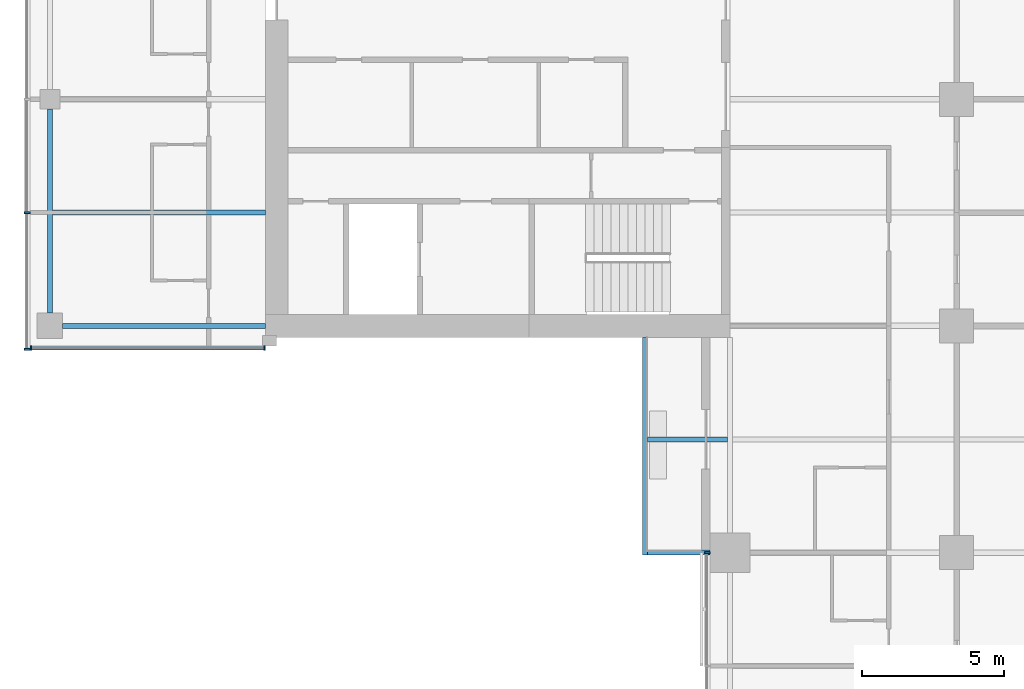
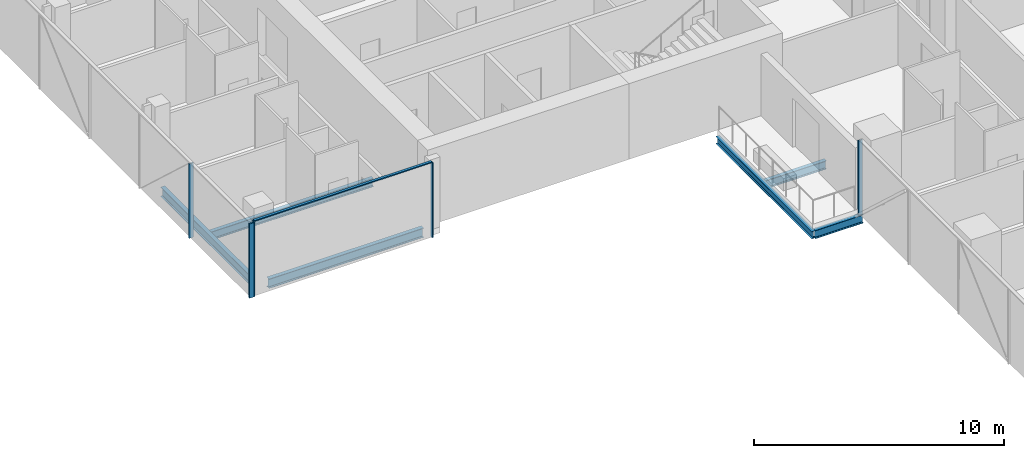
# One storey, part 3 of 27: 6 beams, 6 members, 3 elements without a shape of their own.
"""IFC4 building model written with IfcOpenShell, lengths in metres."""

from ifc_helpers import new_model, si_unit, direction, frame, origin, origin_2d, place, context, subcontext, project, spatial, rectangle, i_section, extrude, material, material_profile, profile_set, type_object, element, aggregate, save


model = new_model("IFC4")

# Units and contexts
model_context = context("Model", 3, precision=1e-05, world=origin(), true_north=direction((0.0, 1.0)))
body_context = subcontext(model_context, "Body", "Model", "MODEL_VIEW")
ifc_project = project(units=[si_unit("LENGTHUNIT", "METRE"), si_unit("AREAUNIT", "SQUARE_METRE"), si_unit("VOLUMEUNIT", "CUBIC_METRE"), si_unit("PLANEANGLEUNIT", "RADIAN"), si_unit("MASSUNIT", "GRAM", prefix="KILO")], contexts=[model_context])

# Site, building, storey
site_placement = place(None, origin())
site = spatial("IfcSite", under=ifc_project, at=site_placement, CompositionType="ELEMENT")
building_placement = place(site_placement, origin())
building = spatial("IfcBuilding", under=site, at=building_placement, Name="Crosswind Convention Tower", CompositionType="ELEMENT")
storey_placement = place(building_placement, frame((0.0, 0.0, 72.0)))
storey = spatial("IfcBuildingStorey", under=building, at=storey_placement, Name="L12", CompositionType="ELEMENT", Elevation=72.0)

# Beams
ifc_material_1 = material(Name="Steel S355", Category="steel")
ifc_material_profile_1 = material_profile(ifc_material_1, i_section(OverallWidth=0.177734375, OverallDepth=0.406494140625, WebThickness=0.0078125, FlangeThickness=0.0126953125, FilletRadius=0.01025390625, at=origin_2d()), Name="UB 406x178x60")
ifc_profile_set_1 = profile_set([ifc_material_profile_1], Name="Steel S355")
beam_type_1 = type_object("IfcBeamType", Name="Balcony cantilever UB 406x178x60", PredefinedType="BEAM", material=ifc_profile_set_1)
beam_1_placement = place(storey_placement, frame((112.90478515625, 84.0, -0.483154296875), z_axis=(-1.0, 0.0, 0.0), x_axis=(0.0, -1.0, 0.0)))
element("IfcBeam", 1, at=beam_1_placement, inside=storey, type_object=beam_type_1, Name="B35 L12 balcony cantilever SW 7", PredefinedType="BEAM", context=body_context, shape_type="SweptSolid", body=[
    extrude(i_section(OverallWidth=0.177734375, OverallDepth=0.406494140625, WebThickness=0.0078125, FlangeThickness=0.0126953125, FilletRadius=0.01025390625, at=origin_2d()), origin(), (0.0, 0.0, 1.0), 2.8193359375),
])
beam_2_placement = place(storey_placement, frame((112.300048828125, 80.0, -0.483154296875), z_axis=(-1.0, 0.0, 0.0), x_axis=(0.0, -1.0, 0.0)))
element("IfcBeam", 2, at=beam_2_placement, inside=storey, type_object=beam_type_1, Name="B35 L12 balcony cantilever SW 8", PredefinedType="BEAM", context=body_context, shape_type="SweptSolid", body=[
    extrude(i_section(OverallWidth=0.177734375, OverallDepth=0.406494140625, WebThickness=0.0078125, FlangeThickness=0.0126953125, FilletRadius=0.01025390625, at=origin_2d()), origin(), (0.0, 0.0, 1.0), 2.214599609375),
])
ifc_material_profile_2 = material_profile(ifc_material_1, i_section(OverallWidth=0.1708984375, OverallDepth=0.35205078125, WebThickness=0.0068359375, FlangeThickness=0.009765625, FilletRadius=0.01025390625, at=origin_2d()), Name="UB 356x171x45")
ifc_profile_set_2 = profile_set([ifc_material_profile_2], Name="Steel S355")
beam_type_2 = type_object("IfcBeamType", Name="Balcony edge beam UB 356x171x45", PredefinedType="BEAM", material=ifc_profile_set_2)
beam_3_placement = place(storey_placement, frame((110.0, 87.60009765625, -0.4560546875), z_axis=(0.0, -1.0, 0.0), x_axis=(1.0, 0.0, 0.0)))
element("IfcBeam", 3, at=beam_3_placement, inside=storey, type_object=beam_type_2, Name="B37 L12 balcony edge beam SW 9", PredefinedType="BEAM", context=body_context, shape_type="SweptSolid", body=[
    extrude(i_section(OverallWidth=0.1708984375, OverallDepth=0.35205078125, WebThickness=0.0068359375, FlangeThickness=0.009765625, FilletRadius=0.01025390625, at=origin_2d()), origin(), (0.0, 0.0, 1.0), 7.68896484375),
])
ifc_material_profile_3 = material_profile(ifc_material_1, i_section(OverallWidth=0.1904296875, OverallDepth=0.457275390625, WebThickness=0.009033203125, FlangeThickness=0.014404296875, FilletRadius=0.01025390625, at=origin_2d()), Name="UB 457x191x75")
ifc_profile_set_3 = profile_set([ifc_material_profile_3], Name="Steel S355")
beam_type_3 = type_object("IfcBeamType", Name="Edge beam UB 457x191x75", PredefinedType="SPANDREL", material=ifc_profile_set_3)
beam_4_placement = place(storey_placement, frame((89.0, 88.449951171875, -0.508544921875), z_axis=(0.0, 1.0, 0.0), x_axis=(-1.0, 0.0, 0.0)))
element("IfcBeam", 4, at=beam_4_placement, inside=storey, type_object=beam_type_3, Name="B17 L12 edge beam 1", PredefinedType="SPANDREL", context=body_context, shape_type="SweptSolid", body=[
    extrude(i_section(OverallWidth=0.1904296875, OverallDepth=0.457275390625, WebThickness=0.009033203125, FlangeThickness=0.014404296875, FilletRadius=0.01025390625, at=origin_2d()), origin(), (0.0, 0.0, 1.0), 7.199951171875),
])
beam_5_placement = place(storey_placement, frame((89.449951171875, 88.0, -0.508544921875), z_axis=(1.0, 0.0, 0.0), x_axis=(0.0, 1.0, 0.0)))
element("IfcBeam", 5, at=beam_5_placement, inside=storey, type_object=beam_type_3, Name="B17 L12 edge beam 4", PredefinedType="SPANDREL", context=body_context, shape_type="SweptSolid", body=[
    extrude(i_section(OverallWidth=0.1904296875, OverallDepth=0.457275390625, WebThickness=0.009033203125, FlangeThickness=0.014404296875, FilletRadius=0.01025390625, at=origin_2d()), origin(), (0.0, 0.0, 1.0), 7.150146484375),
])

# Curtain wall, members
ifc_material_2 = material(Name="Aluminium unitised curtain wall", Category="aluminium")
curtain_wall_type_1 = type_object("IfcCurtainWallType", Name="CORE END SLOT WALL 160", PredefinedType="USERDEFINED", material=ifc_material_2)
curtain_wall_1_placement = place(storey_placement, origin())
curtain_wall_1 = element("IfcCurtainWall", 6, at=curtain_wall_1_placement, inside=storey, type_object=curtain_wall_type_1, Name="CW6 L12 W-S.1-1 slot", ObjectType="UNITISED", PredefinedType="USERDEFINED")
ifc_material_3 = material(Name="Aluminium mullion", Category="aluminium")
ifc_material_profile_4 = material_profile(ifc_material_3, rectangle(XDim=0.159912109375, YDim=0.050048828125, at=origin_2d()), Name="AL 160X50")
ifc_profile_set_4 = profile_set([ifc_material_profile_4], Name="Aluminium mullion")
member_type_1 = type_object("IfcMemberType", Name="MULLION 50X160", PredefinedType="MULLION", material=ifc_profile_set_4)
member_1_placement = place(storey_placement, frame((88.324951171875, 87.219970703125, -0.280029296875), z_axis=(0.0, 0.0, 1.0), x_axis=(0.0, -1.0, 0.0)))
member_1 = element("IfcMember", 7, at=member_1_placement, type_object=member_type_1, Name="CW6 mullion 1", PredefinedType="MULLION", context=body_context, shape_type="SweptSolid", body=[
    extrude(rectangle(XDim=0.159912109375, YDim=0.050048828125, at=origin_2d()), origin(), (0.0, 0.0, 1.0), 3.650146484375),
])
member_2_placement = place(storey_placement, frame((96.574951171875, 87.219970703125, -0.280029296875), z_axis=(0.0, 0.0, 1.0), x_axis=(0.0, -1.0, 0.0)))
member_2 = element("IfcMember", 8, at=member_2_placement, type_object=member_type_1, Name="CW6 mullion 2", PredefinedType="MULLION", context=body_context, shape_type="SweptSolid", body=[
    extrude(rectangle(XDim=0.159912109375, YDim=0.050048828125, at=origin_2d()), origin(), (0.0, 0.0, 1.0), 3.650146484375),
])

curtain_wall_type_2 = type_object("IfcCurtainWallType", Name="HOTEL UNITISED WALL 200", PredefinedType="USERDEFINED", material=ifc_material_2)
curtain_wall_2_placement = place(storey_placement, origin())
curtain_wall_2 = element("IfcCurtainWall", 9, at=curtain_wall_2_placement, inside=storey, type_object=curtain_wall_type_2, Name="CW2 L12 W-TIP 1", ObjectType="UNITISED", PredefinedType="USERDEFINED")
ifc_material_profile_5 = material_profile(ifc_material_3, rectangle(XDim=0.199951171875, YDim=0.06494140625, at=origin_2d()), Name="AL 200X65")
ifc_profile_set_5 = profile_set([ifc_material_profile_5], Name="Aluminium mullion")
member_type_2 = type_object("IfcMemberType", Name="MULLION 65X200", PredefinedType="MULLION", material=ifc_profile_set_5)
member_3_placement = place(storey_placement, frame((88.199951171875, 92.0, -0.280029296875), z_axis=(0.0, 0.0, 1.0), x_axis=(-1.0, 0.0, 0.0)))
member_3 = element("IfcMember", 10, at=member_3_placement, type_object=member_type_2, Name="CW2 mullion 6", PredefinedType="MULLION", context=body_context, shape_type="SweptSolid", body=[
    extrude(rectangle(XDim=0.199951171875, YDim=0.06494140625, at=origin_2d()), origin(), (0.0, 0.0, 1.0), 3.635009765625),
])
member_4_placement = place(storey_placement, frame((88.199951171875, 87.172607421875, -0.280029296875), z_axis=(0.0, 0.0, 1.0), x_axis=(-1.0, 0.0, 0.0)))
member_4 = element("IfcMember", 11, at=member_4_placement, type_object=member_type_2, Name="CW2 mullion 7", PredefinedType="MULLION", context=body_context, shape_type="SweptSolid", body=[
    extrude(rectangle(XDim=0.199951171875, YDim=0.06494140625, at=origin_2d()), origin(), (0.0, 0.0, 1.0), 3.635009765625),
])
aggregate(curtain_wall_2, [member_3, member_4])

# Curtain wall, member
curtain_wall_3_placement = place(storey_placement, origin())
curtain_wall_3 = element("IfcCurtainWall", 12, at=curtain_wall_3_placement, inside=storey, type_object=curtain_wall_type_2, Name="CW2 L12 S-W 1", ObjectType="UNITISED", PredefinedType="USERDEFINED")
member_5_placement = place(storey_placement, frame((112.199951171875, 80.0, -0.280029296875), z_axis=(0.0, 0.0, 1.0), x_axis=(-1.0, 0.0, 0.0)))
member_5 = element("IfcMember", 13, at=member_5_placement, type_object=member_type_2, Name="CW2 mullion 1", PredefinedType="MULLION", context=body_context, shape_type="SweptSolid", body=[
    extrude(rectangle(XDim=0.199951171875, YDim=0.06494140625, at=origin_2d()), origin(), (0.0, 0.0, 1.0), 3.635009765625),
])
aggregate(curtain_wall_3, [member_5])

# Beam
ifc_material_profile_6 = material_profile(ifc_material_1, i_section(OverallWidth=0.177734375, OverallDepth=0.406494140625, WebThickness=0.0078125, FlangeThickness=0.0126953125, FilletRadius=0.01025390625, at=origin_2d()), Name="UB 406x178x60")
ifc_profile_set_6 = profile_set([ifc_material_profile_6], Name="Steel S355")
beam_type_4 = type_object("IfcBeamType", Name="Secondary beam UB 406x178x60", PredefinedType="JOIST", material=ifc_profile_set_6)
beam_6_placement = place(storey_placement, frame((89.09521484375, 92.0, -0.483154296875), z_axis=(1.0, 0.0, 0.0), x_axis=(0.0, 1.0, 0.0)))
element("IfcBeam", 14, at=beam_6_placement, inside=storey, type_object=beam_type_4, Name="B10 L12 secondary beam 1", PredefinedType="JOIST", context=body_context, shape_type="SweptSolid", body=[
    extrude(i_section(OverallWidth=0.177734375, OverallDepth=0.406494140625, WebThickness=0.0078125, FlangeThickness=0.0126953125, FilletRadius=0.01025390625, at=origin_2d()), origin(), (0.0, 0.0, 1.0), 7.5048828125),
])

# Member
ifc_material_4 = material(Name="Aluminium transom", Category="aluminium")
ifc_material_profile_7 = material_profile(ifc_material_4, rectangle(XDim=0.1201171875, YDim=0.050048828125, at=origin_2d()), Name="AL 120X50")
ifc_profile_set_7 = profile_set([ifc_material_profile_7], Name="Aluminium transom")
member_type_3 = type_object("IfcMemberType", Name="TRANSOM 50X120", PredefinedType="USERDEFINED", material=ifc_profile_set_7)
member_6_placement = place(storey_placement, frame((88.35009765625, 87.219970703125, 3.39501953125), z_axis=(1.0, 0.0, 0.0), x_axis=(0.0, 1.0, 0.0)))
member_6 = element("IfcMember", 15, at=member_6_placement, type_object=member_type_3, Name="CW6 transom", ObjectType="TRANSOM", PredefinedType="USERDEFINED", context=body_context, shape_type="SweptSolid", body=[
    extrude(rectangle(XDim=0.1201171875, YDim=0.050048828125, at=origin_2d()), origin(), (0.0, 0.0, 1.0), 8.199951171875),
])

aggregate(curtain_wall_1, [member_1, member_2, member_6])

save(model, "model.ifc")
